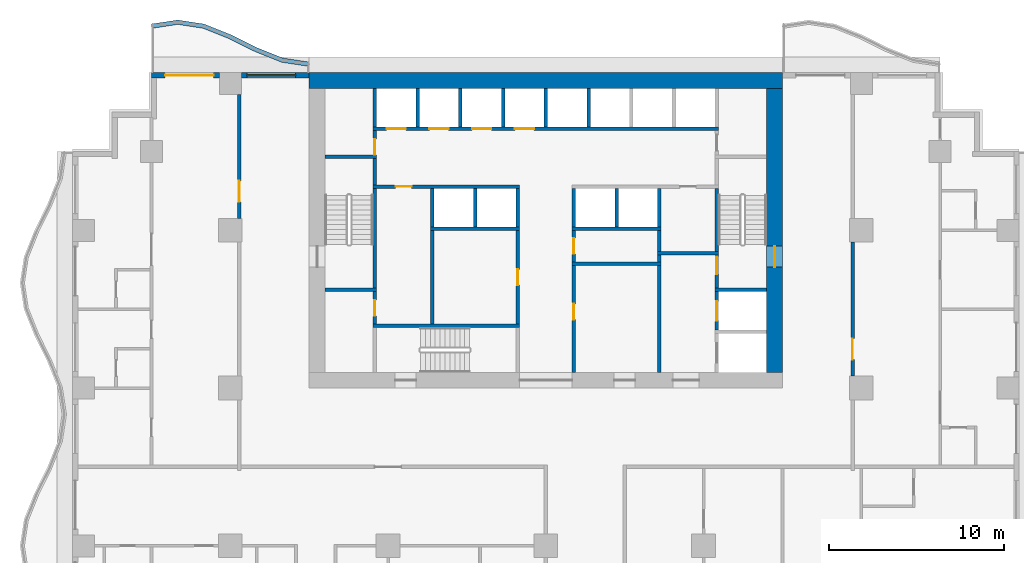
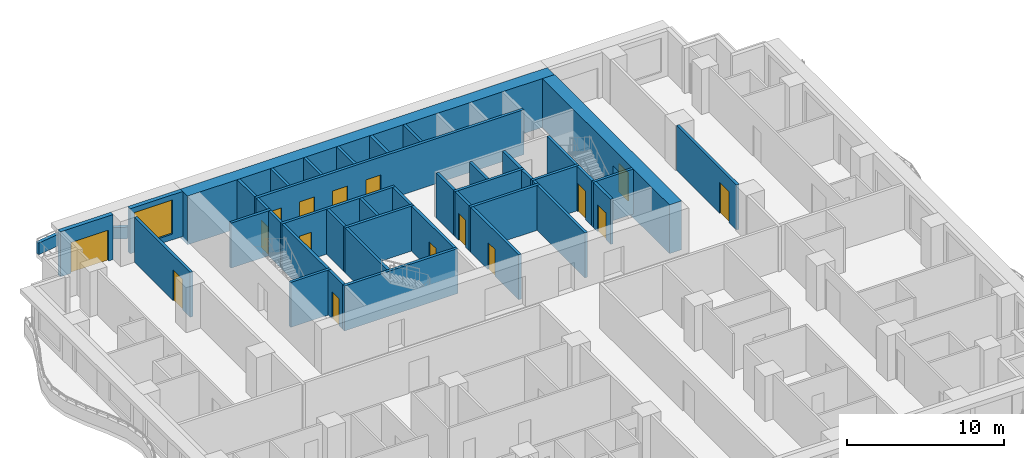
# One storey, part 5 of 13: 43 walls, 16 doors, 1 window, 17 openings.
"""IFC4 building model written with IfcOpenShell, lengths in metres."""

from ifc_helpers import new_model, si_unit, direction, frame, frame_2d, origin, place, context, subcontext, project, spatial, polyline, rectangle, outline, extrude, material, layer, layer_set, type_object, element, fill, save


model = new_model("IFC4")

# Units and contexts
model_context = context("Model", 3, precision=1e-05, world=origin(), true_north=direction((0.0, 1.0)))
body_context = subcontext(model_context, "Body", "Model", "MODEL_VIEW")
ifc_project = project(units=[si_unit("LENGTHUNIT", "METRE"), si_unit("AREAUNIT", "SQUARE_METRE"), si_unit("VOLUMEUNIT", "CUBIC_METRE"), si_unit("PLANEANGLEUNIT", "RADIAN"), si_unit("MASSUNIT", "GRAM", prefix="KILO")], contexts=[model_context])

# Site, building, storey
site_placement = place(None, origin())
site = spatial("IfcSite", under=ifc_project, at=site_placement, CompositionType="ELEMENT")
building_placement = place(site_placement, origin())
building = spatial("IfcBuilding", under=site, at=building_placement, Name="Orbiselva Terraces", CompositionType="ELEMENT")
storey_placement = place(building_placement, frame((0.0, 0.0, 99.8)))
storey = spatial("IfcBuildingStorey", under=building, at=storey_placement, Name="L25", CompositionType="ELEMENT", Elevation=99.8)

# Wall, opening, door
ifc_material_1 = material(Name="Concrete C80/95", Category="concrete")
ifc_layer_1 = layer(ifc_material_1, 0.9)
ifc_layer_set_1 = layer_set([ifc_layer_1], Name="Concrete C80/95")
wall_type_1 = type_object("IfcWallType", Name="CORE WALL 900", PredefinedType="SHEAR", material=ifc_layer_set_1)
wall_1_placement = place(storey_placement, frame((13.05, 5.4, -0.3), z_axis=(0.0, 0.0, 1.0), x_axis=(0.0, 1.0, 0.0)))
wall_1 = element("IfcWall", 1, at=wall_1_placement, inside=storey, type_object=wall_type_1, Name="Core wall L25 east", PredefinedType="SHEAR", context=body_context, shape_type="SweptSolid", body=[
    extrude(rectangle(XDim=16.2, YDim=0.9, at=frame_2d((8.1, 0.0))), origin(), (0.0, 0.0, 1.0), 3.8),
])
opening_1_placement = place(wall_1_placement, frame((6.0, 0.0, 0.3)))
opening_1 = element("IfcOpeningElement", 2, at=opening_1_placement, cuts=wall_1, Name="Opening DS1200", PredefinedType="OPENING", context=body_context, shape_type="SweptSolid", body=[
    extrude(rectangle(XDim=1.2, YDim=2.2, at=frame_2d((0.6, 1.1))), frame((0.0, 0.46, 0.0), z_axis=(0.0, -1.0, 0.0), x_axis=(1.0, 0.0, 0.0)), (0.0, 0.0, 1.0), 0.92),
])
ifc_material_2 = material(Name="Steel fire door", Category="steel")
door_type_1 = type_object("IfcDoorType", Name="STAIR DOOR 1200", OperationType="NOTDEFINED", PredefinedType="DOOR", material=ifc_material_2)
door_1_placement = place(opening_1_placement, frame((1.2, 0.0, 0.0), z_axis=(0.0, 0.0, 1.0), x_axis=(-1.0, 0.0, 0.0)))
door_1 = element("IfcDoor", 3, at=door_1_placement, inside=storey, type_object=door_type_1, Name="L25 EXIT STAIR S2 door", OperationType="SINGLE_SWING_LEFT", OverallHeight=2.2, OverallWidth=1.2, PredefinedType="DOOR", context=body_context, shape_type="SweptSolid", body=[
    extrude(rectangle(XDim=1.2, YDim=2.2, at=frame_2d((0.6, 1.1))), frame((0.0, 0.025, 0.0), z_axis=(0.0, -1.0, 0.0), x_axis=(1.0, 0.0, 0.0)), (0.0, 0.0, 1.0), 0.05),
])
fill(opening_1, door_1)

# Wall
ifc_layer_2 = layer(ifc_material_1, 0.9)
ifc_layer_set_2 = layer_set([ifc_layer_2], Name="Concrete C80/95")
wall_type_2 = type_object("IfcWallType", Name="CORE WALL 900 EXTERNAL", PredefinedType="SHEAR", material=ifc_layer_set_2)
wall_2_placement = place(storey_placement, frame((13.5, 22.05, -0.3), z_axis=(0.0, 0.0, 1.0), x_axis=(-1.0, 0.0, 0.0)))
element("IfcWall", 4, at=wall_2_placement, inside=storey, type_object=wall_type_2, Name="Core wall L25 north", PredefinedType="SHEAR", context=body_context, shape_type="SweptSolid", body=[
    extrude(rectangle(XDim=27.0, YDim=0.9, at=frame_2d((13.5, 0.0))), origin(), (0.0, 0.0, 1.0), 3.8),
])

# Wall, opening, door
ifc_material_3 = material(Name="Masonry blockwork", Category="masonry")
ifc_layer_3 = layer(ifc_material_3, 0.2)
ifc_layer_set_3 = layer_set([ifc_layer_3], Name="Masonry blockwork")
wall_type_3 = type_object("IfcWallType", Name="CORE-WALL-PARTITION-200", PredefinedType="PARTITIONING", material=ifc_layer_set_3)
wall_3_placement = place(storey_placement, frame((-9.75, 8.15, 0.0), z_axis=(0.0, 0.0, 1.0), x_axis=(0.0, 1.0, 0.0)))
wall_3 = element("IfcWall", 5, at=wall_3_placement, inside=storey, type_object=wall_type_3, Name="L25 core wall 05", PredefinedType="PARTITIONING", context=body_context, shape_type="SweptSolid", body=[
    extrude(rectangle(XDim=1.85, YDim=0.2, at=frame_2d((0.925, 0.0))), origin(), (0.0, 0.0, 1.0), 3.5),
])
opening_2_placement = place(wall_3_placement, frame((0.475, 0.0, 0.0)))
opening_2 = element("IfcOpeningElement", 6, at=opening_2_placement, cuts=wall_3, Name="Opening DR900", PredefinedType="OPENING", context=body_context, shape_type="SweptSolid", body=[
    extrude(rectangle(XDim=0.9, YDim=2.1, at=frame_2d((0.45, 1.05))), frame((0.0, 0.11, 0.0), z_axis=(0.0, -1.0, 0.0), x_axis=(1.0, 0.0, 0.0)), (0.0, 0.0, 1.0), 0.22),
])
door_type_2 = type_object("IfcDoorType", Name="ROOM DOOR 900", OperationType="NOTDEFINED", PredefinedType="DOOR", material=ifc_material_2)
door_2_placement = place(opening_2_placement, origin())
door_2 = element("IfcDoor", 7, at=door_2_placement, inside=storey, type_object=door_type_2, Name="L25 STAFF WC door", OperationType="SINGLE_SWING_RIGHT", OverallHeight=2.1, OverallWidth=0.9, PredefinedType="DOOR", context=body_context, shape_type="SweptSolid", body=[
    extrude(rectangle(XDim=0.9, YDim=2.1, at=frame_2d((0.45, 1.05))), frame((0.0, 0.025, 0.0), z_axis=(0.0, -1.0, 0.0), x_axis=(1.0, 0.0, 0.0)), (0.0, 0.0, 1.0), 0.05),
])
fill(opening_2, door_2)

wall_4_placement = place(storey_placement, frame((-9.75, 17.8, 0.0), z_axis=(0.0, 0.0, 1.0), x_axis=(0.0, 1.0, 0.0)))
wall_4 = element("IfcWall", 8, at=wall_4_placement, inside=storey, type_object=wall_type_3, Name="L25 core wall 09", PredefinedType="PARTITIONING", context=body_context, shape_type="SweptSolid", body=[
    extrude(rectangle(XDim=1.4, YDim=0.2, at=frame_2d((0.7, 0.0))), origin(), (0.0, 0.0, 1.0), 3.5),
])
opening_3_placement = place(wall_4_placement, origin())
opening_3 = element("IfcOpeningElement", 9, at=opening_3_placement, cuts=wall_4, Name="Opening DR900", PredefinedType="OPENING", context=body_context, shape_type="SweptSolid", body=[
    extrude(rectangle(XDim=0.9, YDim=2.1, at=frame_2d((0.45, 1.05))), frame((0.0, 0.11, 0.0), z_axis=(0.0, -1.0, 0.0), x_axis=(1.0, 0.0, 0.0)), (0.0, 0.0, 1.0), 0.22),
])
door_3_placement = place(opening_3_placement, origin())
door_3 = element("IfcDoor", 10, at=door_3_placement, inside=storey, type_object=door_type_2, Name="L25 COMMS RISER ROOM door", OperationType="SINGLE_SWING_LEFT", OverallHeight=2.1, OverallWidth=0.9, PredefinedType="DOOR", context=body_context, shape_type="SweptSolid", body=[
    extrude(rectangle(XDim=0.9, YDim=2.1, at=frame_2d((0.45, 1.05))), frame((0.0, 0.025, 0.0), z_axis=(0.0, -1.0, 0.0), x_axis=(1.0, 0.0, 0.0)), (0.0, 0.0, 1.0), 0.05),
])
fill(opening_3, door_3)

# Wall
wall_5_placement = place(storey_placement, frame((-6.475, 8.15, 0.0), z_axis=(0.0, 0.0, 1.0), x_axis=(0.0, 1.0, 0.0)))
element("IfcWall", 11, at=wall_5_placement, inside=storey, type_object=wall_type_3, Name="L25 core wall 13", PredefinedType="PARTITIONING", context=body_context, shape_type="SweptSolid", body=[
    extrude(rectangle(XDim=5.35, YDim=0.2, at=frame_2d((2.675, 0.0))), origin(), (0.0, 0.0, 1.0), 3.5),
])

# Wall, opening, door
wall_6_placement = place(storey_placement, frame((1.6, 13.5, 0.0), z_axis=(0.0, 0.0, 1.0), x_axis=(0.0, -1.0, 0.0)))
wall_6 = element("IfcWall", 12, at=wall_6_placement, inside=storey, type_object=wall_type_3, Name="L25 core wall 25", PredefinedType="PARTITIONING", context=body_context, shape_type="SweptSolid", body=[
    extrude(rectangle(XDim=1.8, YDim=0.2, at=frame_2d((0.9, 0.0))), origin(), (0.0, 0.0, 1.0), 3.5),
])
opening_4_placement = place(wall_6_placement, frame((0.45, 0.0, 0.0)))
opening_4 = element("IfcOpeningElement", 13, at=opening_4_placement, cuts=wall_6, Name="Opening DR900", PredefinedType="OPENING", context=body_context, shape_type="SweptSolid", body=[
    extrude(rectangle(XDim=0.9, YDim=2.1, at=frame_2d((0.45, 1.05))), frame((0.0, 0.11, 0.0), z_axis=(0.0, -1.0, 0.0), x_axis=(1.0, 0.0, 0.0)), (0.0, 0.0, 1.0), 0.22),
])
door_4_placement = place(opening_4_placement, origin())
door_4 = element("IfcDoor", 14, at=door_4_placement, inside=storey, type_object=door_type_2, Name="L25 IT ROOM door", OperationType="SINGLE_SWING_LEFT", OverallHeight=2.1, OverallWidth=0.9, PredefinedType="DOOR", context=body_context, shape_type="SweptSolid", body=[
    extrude(rectangle(XDim=0.9, YDim=2.1, at=frame_2d((0.45, 1.05))), frame((0.0, 0.025, 0.0), z_axis=(0.0, -1.0, 0.0), x_axis=(1.0, 0.0, 0.0)), (0.0, 0.0, 1.0), 0.05),
])
fill(opening_4, door_4)

# Walls
wall_7_placement = place(storey_placement, frame((6.475, 12.3, 0.0), z_axis=(0.0, 0.0, 1.0), x_axis=(0.0, 1.0, 0.0)))
element("IfcWall", 15, at=wall_7_placement, inside=storey, type_object=wall_type_3, Name="L25 core wall 35", PredefinedType="PARTITIONING", context=body_context, shape_type="SweptSolid", body=[
    extrude(rectangle(XDim=1.2, YDim=0.2, at=frame_2d((0.6, 0.0))), origin(), (0.0, 0.0, 1.0), 3.5),
])
ifc_material_4 = material(Name="Concrete C40/50", Category="concrete")
ifc_layer_4 = layer(ifc_material_4, 0.2)
ifc_layer_set_4 = layer_set([ifc_layer_4], Name="Concrete C40/50")
wall_type_4 = type_object("IfcWallType", Name="CORE-WALL-SHAFT-200", PredefinedType="PARTITIONING", material=ifc_layer_set_4)
for number, where, z_axis, x_axis, name in (
    (16, (-9.75, 19.4, 0.0), (0.0, 0.0, 1.0), (0.0, 1.0, 0.0), "L25 core wall 11"),
    (17, (-7.3125, 19.4, 0.0), (0.0, 0.0, 1.0), (0.0, 1.0, 0.0), "L25 core wall 12"),
    (18, (-6.475, 13.7, 0.0), (0.0, 0.0, 1.0), (0.0, 1.0, 0.0), "L25 core wall 15"),
    (19, (-4.875, 19.4, 0.0), (0.0, 0.0, 1.0), (0.0, 1.0, 0.0), "L25 core wall 16"),
    (20, (-4.0375, 13.7, 0.0), (0.0, 0.0, 1.0), (0.0, 1.0, 0.0), "L25 core wall 17"),
    (21, (-2.4375, 19.4, 0.0), (0.0, 0.0, 1.0), (0.0, 1.0, 0.0), "L25 core wall 18"),
    (22, (-1.6, 13.7, 0.0), (0.0, 0.0, 1.0), (0.0, 1.0, 0.0), "L25 core wall 21"),
    (23, (0.0, 19.4, 0.0), (0.0, 0.0, 1.0), (0.0, 1.0, 0.0), "L25 core wall 22"),
    (24, (1.6, 13.7, 0.0), (0.0, 0.0, 1.0), (0.0, 1.0, 0.0), "L25 core wall 27"),
    (25, (2.4375, 19.4, 0.0), (0.0, 0.0, 1.0), (0.0, 1.0, 0.0), "L25 core wall 29"),
    (26, (4.0375, 13.7, 0.0), (0.0, 0.0, 1.0), (0.0, 1.0, 0.0), "L25 core wall 30"),
    (27, (6.475, 13.7, 0.0), (0.0, 0.0, 1.0), (0.0, 1.0, 0.0), "L25 core wall 36"),
):
    element("IfcWall", number, at=place(storey_placement, frame(where, z_axis=z_axis, x_axis=x_axis)), inside=storey, type_object=wall_type_4, Name=name, PredefinedType="PARTITIONING", context=body_context, shape_type="SweptSolid", body=[
        extrude(rectangle(XDim=2.2, YDim=0.2, at=frame_2d((1.1, 0.0))), origin(), (0.0, 0.0, 1.0), 3.5),
    ])
ifc_material_5 = material(Name="Concrete C60/75", Category="concrete")
ifc_layer_5 = layer(ifc_material_5, 0.2)
ifc_layer_set_5 = layer_set([ifc_layer_5], Name="Concrete C60/75")
wall_type_5 = type_object("IfcWallType", Name="CORE-WALL-SHEAR-200", PredefinedType="SHEAR", material=ifc_layer_set_5)
for number, where, z_axis, x_axis, name in (
    (28, (-12.6, 10.1, 0.0), (0.0, 0.0, 1.0), (1.0, 0.0, 0.0), "L25 core wall 01"),
    (29, (-12.6, 17.7, 0.0), (0.0, 0.0, 1.0), (1.0, 0.0, 0.0), "L25 core wall 02"),
):
    element("IfcWall", number, at=place(storey_placement, frame(where, z_axis=z_axis, x_axis=x_axis)), inside=storey, type_object=wall_type_5, Name=name, PredefinedType="SHEAR", context=body_context, shape_type="SweptSolid", body=[
        extrude(rectangle(XDim=2.95, YDim=0.2, at=frame_2d((1.475, 0.0))), origin(), (0.0, 0.0, 1.0), 3.5),
    ])
wall_8_placement = place(storey_placement, frame((-9.85, 8.05, 0.0), z_axis=(0.0, 0.0, 1.0), x_axis=(1.0, 0.0, 0.0)))
element("IfcWall", 30, at=wall_8_placement, inside=storey, type_object=wall_type_5, Name="L25 core wall 04", PredefinedType="SHEAR", context=body_context, shape_type="SweptSolid", body=[
    extrude(rectangle(XDim=8.35, YDim=0.2, at=frame_2d((4.175, 0.0))), origin(), (0.0, 0.0, 1.0), 3.5),
])
wall_9_placement = place(storey_placement, frame((-9.75, 10.2, 0.0), z_axis=(0.0, 0.0, 1.0), x_axis=(0.0, 1.0, 0.0)))
element("IfcWall", 31, at=wall_9_placement, inside=storey, type_object=wall_type_5, Name="L25 core wall 06", PredefinedType="SHEAR", context=body_context, shape_type="SweptSolid", body=[
    extrude(rectangle(XDim=5.7, YDim=0.2, at=frame_2d((2.85, 0.0))), origin(), (0.0, 0.0, 1.0), 3.5),
])

# Wall, opening, door
wall_10_placement = place(storey_placement, frame((-1.5, 16.0, 0.0), z_axis=(0.0, 0.0, 1.0), x_axis=(-1.0, 0.0, 0.0)))
wall_10 = element("IfcWall", 32, at=wall_10_placement, inside=storey, type_object=wall_type_5, Name="L25 core wall 07", PredefinedType="SHEAR", context=body_context, shape_type="SweptSolid", body=[
    extrude(rectangle(XDim=8.35, YDim=0.2, at=frame_2d((4.175, 0.0))), origin(), (0.0, 0.0, 1.0), 3.5),
])
opening_5_placement = place(wall_10_placement, frame((6.1625, 0.0, 0.0)))
opening_5 = element("IfcOpeningElement", 33, at=opening_5_placement, cuts=wall_10, Name="Opening DR900", PredefinedType="OPENING", context=body_context, shape_type="SweptSolid", body=[
    extrude(rectangle(XDim=0.9, YDim=2.1, at=frame_2d((0.45, 1.05))), frame((0.0, 0.11, 0.0), z_axis=(0.0, -1.0, 0.0), x_axis=(1.0, 0.0, 0.0)), (0.0, 0.0, 1.0), 0.22),
])
door_5_placement = place(opening_5_placement, origin())
door_5 = element("IfcDoor", 34, at=door_5_placement, inside=storey, type_object=door_type_2, Name="L25 STAFF PANTRY door", OperationType="SINGLE_SWING_RIGHT", OverallHeight=2.1, OverallWidth=0.9, PredefinedType="DOOR", context=body_context, shape_type="SweptSolid", body=[
    extrude(rectangle(XDim=0.9, YDim=2.1, at=frame_2d((0.45, 1.05))), frame((0.0, 0.025, 0.0), z_axis=(0.0, -1.0, 0.0), x_axis=(1.0, 0.0, 0.0)), (0.0, 0.0, 1.0), 0.05),
])
fill(opening_5, door_5)

# Wall
wall_11_placement = place(storey_placement, frame((-9.75, 16.1, 0.0), z_axis=(0.0, 0.0, 1.0), x_axis=(0.0, 1.0, 0.0)))
element("IfcWall", 35, at=wall_11_placement, inside=storey, type_object=wall_type_5, Name="L25 core wall 08", PredefinedType="SHEAR", context=body_context, shape_type="SweptSolid", body=[
    extrude(rectangle(XDim=1.5, YDim=0.2, at=frame_2d((0.75, 0.0))), origin(), (0.0, 0.0, 1.0), 3.5),
])

# Wall, openings, doors
wall_12_placement = place(storey_placement, frame((-9.85, 19.3, 0.0), z_axis=(0.0, 0.0, 1.0), x_axis=(1.0, 0.0, 0.0)))
wall_12 = element("IfcWall", 36, at=wall_12_placement, inside=storey, type_object=wall_type_5, Name="L25 core wall 10", PredefinedType="SHEAR", context=body_context, shape_type="SweptSolid", body=[
    extrude(rectangle(XDim=19.7, YDim=0.2, at=frame_2d((9.85, 0.0))), origin(), (0.0, 0.0, 1.0), 3.5),
])
opening_6_placement = place(wall_12_placement, frame((0.76875, 0.0, 0.0)))
opening_6 = element("IfcOpeningElement", 37, at=opening_6_placement, cuts=wall_12, Name="Opening LD-LR1", PredefinedType="OPENING", context=body_context, shape_type="SweptSolid", body=[
    extrude(rectangle(XDim=1.1, YDim=2.1, at=frame_2d((0.55, 1.05))), frame((0.0, 0.11, 0.0), z_axis=(0.0, -1.0, 0.0), x_axis=(1.0, 0.0, 0.0)), (0.0, 0.0, 1.0), 0.22),
])
opening_7_placement = place(wall_12_placement, frame((3.20625, 0.0, 0.0)))
opening_7 = element("IfcOpeningElement", 38, at=opening_7_placement, cuts=wall_12, Name="Opening LD-LR2", PredefinedType="OPENING", context=body_context, shape_type="SweptSolid", body=[
    extrude(rectangle(XDim=1.1, YDim=2.1, at=frame_2d((0.55, 1.05))), frame((0.0, 0.11, 0.0), z_axis=(0.0, -1.0, 0.0), x_axis=(1.0, 0.0, 0.0)), (0.0, 0.0, 1.0), 0.22),
])
opening_8_placement = place(wall_12_placement, frame((5.64375, 0.0, 0.0)))
opening_8 = element("IfcOpeningElement", 39, at=opening_8_placement, cuts=wall_12, Name="Opening LD-LR3", PredefinedType="OPENING", context=body_context, shape_type="SweptSolid", body=[
    extrude(rectangle(XDim=1.1, YDim=2.1, at=frame_2d((0.55, 1.05))), frame((0.0, 0.11, 0.0), z_axis=(0.0, -1.0, 0.0), x_axis=(1.0, 0.0, 0.0)), (0.0, 0.0, 1.0), 0.22),
])
opening_9_placement = place(wall_12_placement, frame((8.08125, 0.0, 0.0)))
opening_9 = element("IfcOpeningElement", 40, at=opening_9_placement, cuts=wall_12, Name="Opening LD-LR4", PredefinedType="OPENING", context=body_context, shape_type="SweptSolid", body=[
    extrude(rectangle(XDim=1.1, YDim=2.1, at=frame_2d((0.55, 1.05))), frame((0.0, 0.11, 0.0), z_axis=(0.0, -1.0, 0.0), x_axis=(1.0, 0.0, 0.0)), (0.0, 0.0, 1.0), 0.22),
])
ifc_material_6 = material(Name="Stainless steel landing door", Category="steel")
door_type_3 = type_object("IfcDoorType", Name="LANDING DOOR 1100", OperationType="SLIDING_TO_LEFT", PredefinedType="DOOR", material=ifc_material_6)
door_6_placement = place(opening_6_placement, origin())
door_6 = element("IfcDoor", 41, at=door_6_placement, inside=storey, type_object=door_type_3, Name="L25 landing door LR1", OperationType="SLIDING_TO_LEFT", OverallHeight=2.1, OverallWidth=1.1, PredefinedType="DOOR", context=body_context, shape_type="SweptSolid", body=[
    extrude(rectangle(XDim=1.1, YDim=2.1, at=frame_2d((0.55, 1.05))), frame((0.0, 0.025, 0.0), z_axis=(0.0, -1.0, 0.0), x_axis=(1.0, 0.0, 0.0)), (0.0, 0.0, 1.0), 0.05),
])
fill(opening_6, door_6)
door_7_placement = place(opening_7_placement, origin())
door_7 = element("IfcDoor", 42, at=door_7_placement, inside=storey, type_object=door_type_3, Name="L25 landing door LR2", OperationType="SLIDING_TO_LEFT", OverallHeight=2.1, OverallWidth=1.1, PredefinedType="DOOR", context=body_context, shape_type="SweptSolid", body=[
    extrude(rectangle(XDim=1.1, YDim=2.1, at=frame_2d((0.55, 1.05))), frame((0.0, 0.025, 0.0), z_axis=(0.0, -1.0, 0.0), x_axis=(1.0, 0.0, 0.0)), (0.0, 0.0, 1.0), 0.05),
])
fill(opening_7, door_7)
door_8_placement = place(opening_8_placement, origin())
door_8 = element("IfcDoor", 43, at=door_8_placement, inside=storey, type_object=door_type_3, Name="L25 landing door LR3", OperationType="SLIDING_TO_LEFT", OverallHeight=2.1, OverallWidth=1.1, PredefinedType="DOOR", context=body_context, shape_type="SweptSolid", body=[
    extrude(rectangle(XDim=1.1, YDim=2.1, at=frame_2d((0.55, 1.05))), frame((0.0, 0.025, 0.0), z_axis=(0.0, -1.0, 0.0), x_axis=(1.0, 0.0, 0.0)), (0.0, 0.0, 1.0), 0.05),
])
fill(opening_8, door_8)
door_9_placement = place(opening_9_placement, origin())
door_9 = element("IfcDoor", 44, at=door_9_placement, inside=storey, type_object=door_type_3, Name="L25 landing door LR4", OperationType="SLIDING_TO_LEFT", OverallHeight=2.1, OverallWidth=1.1, PredefinedType="DOOR", context=body_context, shape_type="SweptSolid", body=[
    extrude(rectangle(XDim=1.1, YDim=2.1, at=frame_2d((0.55, 1.05))), frame((0.0, 0.025, 0.0), z_axis=(0.0, -1.0, 0.0), x_axis=(1.0, 0.0, 0.0)), (0.0, 0.0, 1.0), 0.05),
])
fill(opening_9, door_9)

# Wall
wall_13_placement = place(storey_placement, frame((-6.575, 13.6, 0.0), z_axis=(0.0, 0.0, 1.0), x_axis=(1.0, 0.0, 0.0)))
element("IfcWall", 45, at=wall_13_placement, inside=storey, type_object=wall_type_5, Name="L25 core wall 14", PredefinedType="SHEAR", context=body_context, shape_type="SweptSolid", body=[
    extrude(rectangle(XDim=5.075, YDim=0.2, at=frame_2d((2.5375, 0.0))), origin(), (0.0, 0.0, 1.0), 3.5),
])

# Wall, opening, door
wall_14_placement = place(storey_placement, frame((-1.6, 8.15, 0.0), z_axis=(0.0, 0.0, 1.0), x_axis=(0.0, 1.0, 0.0)))
wall_14 = element("IfcWall", 46, at=wall_14_placement, inside=storey, type_object=wall_type_5, Name="L25 core wall 20", PredefinedType="SHEAR", context=body_context, shape_type="SweptSolid", body=[
    extrude(rectangle(XDim=5.35, YDim=0.2, at=frame_2d((2.675, 0.0))), origin(), (0.0, 0.0, 1.0), 3.5),
])
opening_10_placement = place(wall_14_placement, frame((2.225, 0.0, 0.0)))
opening_10 = element("IfcOpeningElement", 47, at=opening_10_placement, cuts=wall_14, Name="Opening DR900", PredefinedType="OPENING", context=body_context, shape_type="SweptSolid", body=[
    extrude(rectangle(XDim=0.9, YDim=2.1, at=frame_2d((0.45, 1.05))), frame((0.0, 0.11, 0.0), z_axis=(0.0, -1.0, 0.0), x_axis=(1.0, 0.0, 0.0)), (0.0, 0.0, 1.0), 0.22),
])
door_10_placement = place(opening_10_placement, origin())
door_10 = element("IfcDoor", 48, at=door_10_placement, inside=storey, type_object=door_type_2, Name="L25 HOUSEKEEPING STORE door", OperationType="SINGLE_SWING_RIGHT", OverallHeight=2.1, OverallWidth=0.9, PredefinedType="DOOR", context=body_context, shape_type="SweptSolid", body=[
    extrude(rectangle(XDim=0.9, YDim=2.1, at=frame_2d((0.45, 1.05))), frame((0.0, 0.025, 0.0), z_axis=(0.0, -1.0, 0.0), x_axis=(1.0, 0.0, 0.0)), (0.0, 0.0, 1.0), 0.05),
])
fill(opening_10, door_10)

wall_15_placement = place(storey_placement, frame((1.6, 11.5, 0.0), z_axis=(0.0, 0.0, 1.0), x_axis=(0.0, -1.0, 0.0)))
wall_15 = element("IfcWall", 49, at=wall_15_placement, inside=storey, type_object=wall_type_5, Name="L25 core wall 23", PredefinedType="SHEAR", context=body_context, shape_type="SweptSolid", body=[
    extrude(rectangle(XDim=6.1, YDim=0.2, at=frame_2d((3.05, 0.0))), origin(), (0.0, 0.0, 1.0), 3.5),
])
opening_11_placement = place(wall_15_placement, frame((2.2, 0.0, 0.0)))
opening_11 = element("IfcOpeningElement", 50, at=opening_11_placement, cuts=wall_15, Name="Opening DR900", PredefinedType="OPENING", context=body_context, shape_type="SweptSolid", body=[
    extrude(rectangle(XDim=0.9, YDim=2.1, at=frame_2d((0.45, 1.05))), frame((0.0, 0.11, 0.0), z_axis=(0.0, -1.0, 0.0), x_axis=(1.0, 0.0, 0.0)), (0.0, 0.0, 1.0), 0.22),
])
door_11_placement = place(opening_11_placement, origin())
door_11 = element("IfcDoor", 51, at=door_11_placement, inside=storey, type_object=door_type_2, Name="L25 SERVICE ROOM door", OperationType="SINGLE_SWING_LEFT", OverallHeight=2.1, OverallWidth=0.9, PredefinedType="DOOR", context=body_context, shape_type="SweptSolid", body=[
    extrude(rectangle(XDim=0.9, YDim=2.1, at=frame_2d((0.45, 1.05))), frame((0.0, 0.025, 0.0), z_axis=(0.0, -1.0, 0.0), x_axis=(1.0, 0.0, 0.0)), (0.0, 0.0, 1.0), 0.05),
])
fill(opening_11, door_11)

# Walls
for number, where, z_axis, x_axis, name in (
    (52, (1.5, 11.6, 0.0), (0.0, 0.0, 1.0), (1.0, 0.0, 0.0), "L25 core wall 24"),
    (53, (1.5, 13.6, 0.0), (0.0, 0.0, 1.0), (1.0, 0.0, 0.0), "L25 core wall 26"),
):
    element("IfcWall", number, at=place(storey_placement, frame(where, z_axis=z_axis, x_axis=x_axis)), inside=storey, type_object=wall_type_5, Name=name, PredefinedType="SHEAR", context=body_context, shape_type="SweptSolid", body=[
        extrude(rectangle(XDim=5.075, YDim=0.2, at=frame_2d((2.5375, 0.0))), origin(), (0.0, 0.0, 1.0), 3.5),
    ])
wall_16_placement = place(storey_placement, frame((6.475, 5.4, 0.0), z_axis=(0.0, 0.0, 1.0), x_axis=(0.0, 1.0, 0.0)))
element("IfcWall", 54, at=wall_16_placement, inside=storey, type_object=wall_type_5, Name="L25 core wall 32", PredefinedType="SHEAR", context=body_context, shape_type="SweptSolid", body=[
    extrude(rectangle(XDim=6.1, YDim=0.2, at=frame_2d((3.05, 0.0))), origin(), (0.0, 0.0, 1.0), 3.5),
])
wall_17_placement = place(storey_placement, frame((6.475, 11.7, 0.0), z_axis=(0.0, 0.0, 1.0), x_axis=(0.0, 1.0, 0.0)))
element("IfcWall", 55, at=wall_17_placement, inside=storey, type_object=wall_type_5, Name="L25 core wall 33", PredefinedType="SHEAR", context=body_context, shape_type="SweptSolid", body=[
    extrude(rectangle(XDim=0.4, YDim=0.2, at=frame_2d((0.2, 0.0))), origin(), (0.0, 0.0, 1.0), 3.5),
])
wall_18_placement = place(storey_placement, frame((6.375, 12.2, 0.0), z_axis=(0.0, 0.0, 1.0), x_axis=(1.0, 0.0, 0.0)))
element("IfcWall", 56, at=wall_18_placement, inside=storey, type_object=wall_type_5, Name="L25 core wall 34", PredefinedType="SHEAR", context=body_context, shape_type="SweptSolid", body=[
    extrude(rectangle(XDim=3.475, YDim=0.2, at=frame_2d((1.7375, 0.0))), origin(), (0.0, 0.0, 1.0), 3.5),
])

# Wall, opening, door
wall_19_placement = place(storey_placement, frame((9.75, 7.8, 0.0), z_axis=(0.0, 0.0, 1.0), x_axis=(0.0, 1.0, 0.0)))
wall_19 = element("IfcWall", 57, at=wall_19_placement, inside=storey, type_object=wall_type_5, Name="L25 core wall 40", PredefinedType="SHEAR", context=body_context, shape_type="SweptSolid", body=[
    extrude(rectangle(XDim=2.2, YDim=0.2, at=frame_2d((1.1, 0.0))), origin(), (0.0, 0.0, 1.0), 3.5),
])
opening_12_placement = place(wall_19_placement, frame((0.55, 0.0, 0.0)))
opening_12 = element("IfcOpeningElement", 58, at=opening_12_placement, cuts=wall_19, Name="Opening LD-FF2", PredefinedType="OPENING", context=body_context, shape_type="SweptSolid", body=[
    extrude(rectangle(XDim=1.1, YDim=2.1, at=frame_2d((0.55, 1.05))), frame((0.0, 0.11, 0.0), z_axis=(0.0, -1.0, 0.0), x_axis=(1.0, 0.0, 0.0)), (0.0, 0.0, 1.0), 0.22),
])
door_12_placement = place(opening_12_placement, origin())
door_12 = element("IfcDoor", 59, at=door_12_placement, inside=storey, type_object=door_type_3, Name="L25 landing door FF2", OperationType="SLIDING_TO_RIGHT", OverallHeight=2.1, OverallWidth=1.1, PredefinedType="DOOR", context=body_context, shape_type="SweptSolid", body=[
    extrude(rectangle(XDim=1.1, YDim=2.1, at=frame_2d((0.55, 1.05))), frame((0.0, 0.025, 0.0), z_axis=(0.0, -1.0, 0.0), x_axis=(1.0, 0.0, 0.0)), (0.0, 0.0, 1.0), 0.05),
])
fill(opening_12, door_12)

# Wall
wall_20_placement = place(storey_placement, frame((9.65, 10.1, 0.0), z_axis=(0.0, 0.0, 1.0), x_axis=(1.0, 0.0, 0.0)))
element("IfcWall", 60, at=wall_20_placement, inside=storey, type_object=wall_type_5, Name="L25 core wall 41", PredefinedType="SHEAR", context=body_context, shape_type="SweptSolid", body=[
    extrude(rectangle(XDim=2.95, YDim=0.2, at=frame_2d((1.475, 0.0))), origin(), (0.0, 0.0, 1.0), 3.5),
])

# Wall, opening, door
wall_21_placement = place(storey_placement, frame((9.75, 12.1, 0.0), z_axis=(0.0, 0.0, 1.0), x_axis=(0.0, -1.0, 0.0)))
wall_21 = element("IfcWall", 61, at=wall_21_placement, inside=storey, type_object=wall_type_5, Name="L25 core wall 42", PredefinedType="SHEAR", context=body_context, shape_type="SweptSolid", body=[
    extrude(rectangle(XDim=1.9, YDim=0.2, at=frame_2d((0.95, 0.0))), origin(), (0.0, 0.0, 1.0), 3.5),
])
opening_13_placement = place(wall_21_placement, frame((0.1, 0.0, 0.0)))
opening_13 = element("IfcOpeningElement", 62, at=opening_13_placement, cuts=wall_21, Name="Opening DS1000", PredefinedType="OPENING", context=body_context, shape_type="SweptSolid", body=[
    extrude(rectangle(XDim=1.0, YDim=2.2, at=frame_2d((0.5, 1.1))), frame((0.0, 0.11, 0.0), z_axis=(0.0, -1.0, 0.0), x_axis=(1.0, 0.0, 0.0)), (0.0, 0.0, 1.0), 0.22),
])
door_type_4 = type_object("IfcDoorType", Name="STAIR DOOR 1000", OperationType="NOTDEFINED", PredefinedType="DOOR", material=ifc_material_2)
door_13_placement = place(opening_13_placement, origin())
door_13 = element("IfcDoor", 63, at=door_13_placement, inside=storey, type_object=door_type_4, Name="L25 FIRE-FIGHTING LOBBY TO EXIT STAIR S2 door", OperationType="SINGLE_SWING_LEFT", OverallHeight=2.2, OverallWidth=1.0, PredefinedType="DOOR", context=body_context, shape_type="SweptSolid", body=[
    extrude(rectangle(XDim=1.0, YDim=2.2, at=frame_2d((0.5, 1.1))), frame((0.0, 0.025, 0.0), z_axis=(0.0, -1.0, 0.0), x_axis=(1.0, 0.0, 0.0)), (0.0, 0.0, 1.0), 0.05),
])
fill(opening_13, door_13)

# Walls
wall_22_placement = place(storey_placement, frame((9.75, 12.3, 0.0), z_axis=(0.0, 0.0, 1.0), x_axis=(0.0, 1.0, 0.0)))
element("IfcWall", 64, at=wall_22_placement, inside=storey, type_object=wall_type_5, Name="L25 core wall 43", PredefinedType="SHEAR", context=body_context, shape_type="SweptSolid", body=[
    extrude(rectangle(XDim=3.6, YDim=0.2, at=frame_2d((1.8, 0.0))), origin(), (0.0, 0.0, 1.0), 3.5),
])
ifc_layer_6 = layer(ifc_material_4, 0.25)
ifc_layer_set_6 = layer_set([ifc_layer_6], Name="Concrete C40/50")
wall_type_6 = type_object("IfcWallType", Name="ENV-PLANTER-250x900", PredefinedType="USERDEFINED", material=ifc_layer_set_6)
wall_23_placement = place(storey_placement, origin())
element("IfcWall", 65, at=wall_23_placement, inside=storey, type_object=wall_type_6, Name="Balcony planter L25 NW", ObjectType="PLANTER", PredefinedType="USERDEFINED", context=body_context, shape_type="SweptSolid", body=[
    extrude(outline(polyline([(-13.5, 23.1), (-15.0, 23.32918), (-16.5, 23.92918), (-18.0, 24.67082), (-19.5, 25.27082), (-21.0, 25.5), (-22.5, 25.27082), (-22.462242, 25.023688), (-21.0, 25.247099), (-19.566166, 25.028028), (-18.101983, 24.442355), (-16.601983, 23.700715), (-15.066166, 23.086388), (-13.537758, 22.852868), (-13.5, 23.1)])), origin(), (0.0, 0.0, 1.0), 0.9),
])

# Wall, opening, window
ifc_material_7 = material(Name="Terracotta cladding on masonry backing", Category="masonry")
ifc_layer_7 = layer(ifc_material_7, 0.3)
ifc_layer_set_7 = layer_set([ifc_layer_7], Name="Terracotta cladding on masonry backing")
wall_type_7 = type_object("IfcWallType", Name="ENV-WALL-TERRACOTTA-300", PredefinedType="SOLIDWALL", material=ifc_layer_set_7)
wall_24_placement = place(storey_placement, frame((-17.375, 22.35, 0.0), z_axis=(0.0, 0.0, 1.0), x_axis=(1.0, 0.0, 0.0)))
wall_24 = element("IfcWall", 66, at=wall_24_placement, inside=storey, type_object=wall_type_7, Name="Facade wall L25 NW", PredefinedType="SOLIDWALL", context=body_context, shape_type="SweptSolid", body=[
    extrude(rectangle(XDim=3.875, YDim=0.3, at=frame_2d((1.9375, 0.0))), origin(), (0.0, 0.0, 1.0), 3.5),
])
opening_14_placement = place(wall_24_placement, frame((0.325, 0.0, 0.45)))
opening_14 = element("IfcOpeningElement", 67, at=opening_14_placement, cuts=wall_24, Name="Opening WN6", PredefinedType="OPENING", context=body_context, shape_type="SweptSolid", body=[
    extrude(rectangle(XDim=2.775, YDim=2.65, at=frame_2d((1.3875, 1.325))), frame((0.0, 0.16, 0.0), z_axis=(0.0, -1.0, 0.0), x_axis=(1.0, 0.0, 0.0)), (0.0, 0.0, 1.0), 0.32),
])
ifc_material_8 = material(Name="Clear low-e glazing in aluminium frame", Category="aluminium")
window_type = type_object("IfcWindowType", Name="WINDOW 2775 X 2650 S450", PartitioningType="TRIPLE_PANEL_VERTICAL", PredefinedType="WINDOW", material=ifc_material_8)
window_placement = place(opening_14_placement, origin())
window = element("IfcWindow", 68, at=window_placement, inside=storey, type_object=window_type, Name="Window L25 NW", OverallHeight=2.65, OverallWidth=2.775, PartitioningType="SINGLE_PANEL", PredefinedType="WINDOW", context=body_context, shape_type="SweptSolid", body=[
    extrude(rectangle(XDim=2.775, YDim=2.65, at=frame_2d((1.3875, 1.325))), frame((0.0, 0.03, 0.0), z_axis=(0.0, -1.0, 0.0), x_axis=(1.0, 0.0, 0.0)), (0.0, 0.0, 1.0), 0.06),
])
fill(opening_14, window)

# Wall, opening, door
wall_25_placement = place(storey_placement, frame((-22.5, 22.35, 0.0), z_axis=(0.0, 0.0, 1.0), x_axis=(1.0, 0.0, 0.0)))
wall_25 = element("IfcWall", 69, at=wall_25_placement, inside=storey, type_object=wall_type_7, Name="Facade wall L25 NW", PredefinedType="SOLIDWALL", context=body_context, shape_type="SweptSolid", body=[
    extrude(rectangle(XDim=3.875, YDim=0.3, at=frame_2d((1.9375, 0.0))), origin(), (0.0, 0.0, 1.0), 3.5),
])
opening_15_placement = place(wall_25_placement, frame((0.775, 0.0, 0.0)))
opening_15 = element("IfcOpeningElement", 70, at=opening_15_placement, cuts=wall_25, Name="Opening Z2-C-E14", PredefinedType="OPENING", context=body_context, shape_type="SweptSolid", body=[
    extrude(rectangle(XDim=2.775, YDim=2.4, at=frame_2d((1.3875, 1.2))), frame((0.0, 0.16, 0.0), z_axis=(0.0, -1.0, 0.0), x_axis=(1.0, 0.0, 0.0)), (0.0, 0.0, 1.0), 0.32),
])
door_type_5 = type_object("IfcDoorType", Name="BALCONY DOOR 2775 X 2400", OperationType="DOUBLE_DOOR_SLIDING", PredefinedType="DOOR", material=ifc_material_8)
door_14_placement = place(opening_15_placement, origin())
door_14 = element("IfcDoor", 71, at=door_14_placement, inside=storey, type_object=door_type_5, Name="Z2-C-E14", OperationType="SINGLE_SWING_LEFT", OverallHeight=2.4, OverallWidth=2.775, PredefinedType="DOOR", context=body_context, shape_type="SweptSolid", body=[
    extrude(rectangle(XDim=2.775, YDim=2.4, at=frame_2d((1.3875, 1.2))), frame((0.0, 0.025, 0.0), z_axis=(0.0, -1.0, 0.0), x_axis=(1.0, 0.0, 0.0)), (0.0, 0.0, 1.0), 0.05),
])
fill(opening_15, door_14)

ifc_material_9 = material(Name="Plasterboard on steel stud partition", Category="steel")
ifc_layer_8 = layer(ifc_material_9, 0.2)
ifc_layer_set_8 = layer_set([ifc_layer_8], Name="Plasterboard on steel stud partition")
wall_type_8 = type_object("IfcWallType", Name="UNIT-ENTRANCE-WALL-200", PredefinedType="PARTITIONING", material=ifc_layer_set_8)
wall_26_placement = place(storey_placement, frame((-17.5, 14.175, 0.0), z_axis=(0.0, 0.0, 1.0), x_axis=(0.0, 1.0, 0.0)))
wall_26 = element("IfcWall", 72, at=wall_26_placement, inside=storey, type_object=wall_type_8, Name="PARTITION L25-046", PredefinedType="PARTITIONING", context=body_context, shape_type="SweptSolid", body=[
    extrude(rectangle(XDim=7.075, YDim=0.2, at=frame_2d((3.5375, 0.0))), origin(), (0.0, 0.0, 1.0), 3.5),
])
opening_16_placement = place(wall_26_placement, frame((0.95, 0.0, 0.0)))
opening_16 = element("IfcOpeningElement", 73, at=opening_16_placement, cuts=wall_26, Name="Opening Z2-C-01", PredefinedType="OPENING", context=body_context, shape_type="SweptSolid", body=[
    extrude(rectangle(XDim=1.2, YDim=2.4, at=frame_2d((0.6, 1.2))), frame((0.0, 0.11, 0.0), z_axis=(0.0, -1.0, 0.0), x_axis=(1.0, 0.0, 0.0)), (0.0, 0.0, 1.0), 0.22),
])
ifc_material_10 = material(Name="Painted timber door leaf", Category="wood")
door_type_6 = type_object("IfcDoorType", Name="ENTRANCE DOOR 1200", OperationType="NOTDEFINED", PredefinedType="DOOR", material=ifc_material_10)
door_15_placement = place(opening_16_placement, origin())
door_15 = element("IfcDoor", 74, at=door_15_placement, inside=storey, type_object=door_type_6, Name="Z2-C-01", OperationType="SINGLE_SWING_LEFT", OverallHeight=2.4, OverallWidth=1.2, PredefinedType="DOOR", context=body_context, shape_type="SweptSolid", body=[
    extrude(rectangle(XDim=1.2, YDim=2.4, at=frame_2d((0.6, 1.2))), frame((0.0, 0.025, 0.0), z_axis=(0.0, -1.0, 0.0), x_axis=(1.0, 0.0, 0.0)), (0.0, 0.0, 1.0), 0.05),
])
fill(opening_16, door_15)

wall_27_placement = place(storey_placement, frame((17.5, 12.825, 0.0), z_axis=(0.0, 0.0, 1.0), x_axis=(0.0, -1.0, 0.0)))
wall_27 = element("IfcWall", 75, at=wall_27_placement, inside=storey, type_object=wall_type_8, Name="PARTITION L25-068", PredefinedType="PARTITIONING", context=body_context, shape_type="SweptSolid", body=[
    extrude(rectangle(XDim=7.65, YDim=0.2, at=frame_2d((3.825, 0.0))), origin(), (0.0, 0.0, 1.0), 3.5),
])
opening_17_placement = place(wall_27_placement, frame((5.5, 0.0, 0.0)))
opening_17 = element("IfcOpeningElement", 76, at=opening_17_placement, cuts=wall_27, Name="Opening Z2-C-07", PredefinedType="OPENING", context=body_context, shape_type="SweptSolid", body=[
    extrude(rectangle(XDim=1.2, YDim=2.4, at=frame_2d((0.6, 1.2))), frame((0.0, 0.11, 0.0), z_axis=(0.0, -1.0, 0.0), x_axis=(1.0, 0.0, 0.0)), (0.0, 0.0, 1.0), 0.22),
])
door_16_placement = place(opening_17_placement, origin())
door_16 = element("IfcDoor", 77, at=door_16_placement, inside=storey, type_object=door_type_6, Name="Z2-C-07", OperationType="SINGLE_SWING_RIGHT", OverallHeight=2.4, OverallWidth=1.2, PredefinedType="DOOR", context=body_context, shape_type="SweptSolid", body=[
    extrude(rectangle(XDim=1.2, YDim=2.4, at=frame_2d((0.6, 1.2))), frame((0.0, 0.025, 0.0), z_axis=(0.0, -1.0, 0.0), x_axis=(1.0, 0.0, 0.0)), (0.0, 0.0, 1.0), 0.05),
])
fill(opening_17, door_16)

save(model, "model.ifc")
